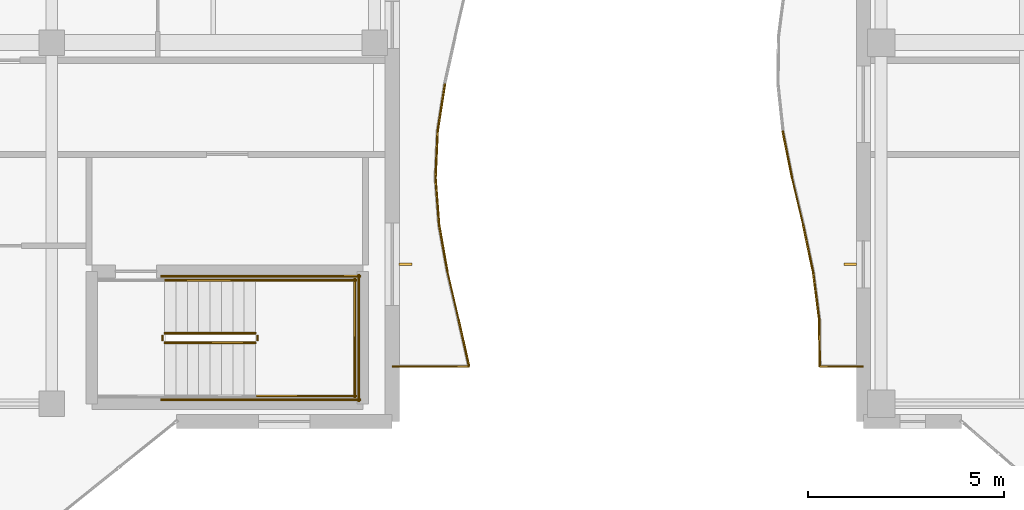
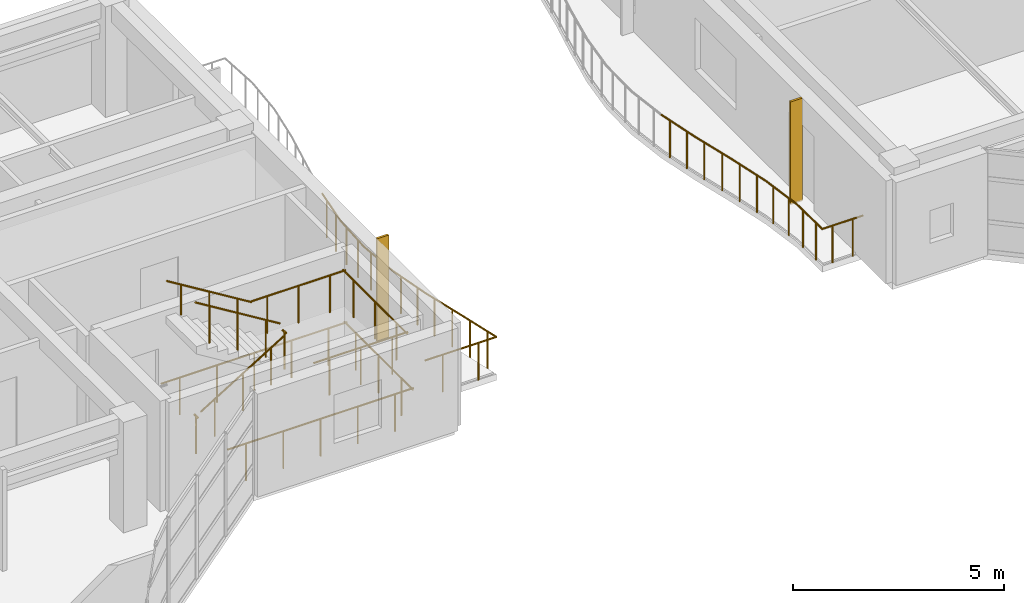
# One storey, part 78 of 89: 24 railings, 2 shading devices.
"""IFC4 building model written with IfcOpenShell, lengths in metres."""

from ifc_helpers import new_model, si_unit, direction, frame, origin, origin_2d, place, context, subcontext, project, spatial, rectangle, circle, extrude, material, layer, layer_set, type_object, element, save


model = new_model("IFC4")

# Units and contexts
model_context = context("Model", 3, precision=1e-05, world=origin(), true_north=direction((0.0, 1.0)))
body_context = subcontext(model_context, "Body", "Model", "MODEL_VIEW")
ifc_project = project(units=[si_unit("LENGTHUNIT", "METRE"), si_unit("AREAUNIT", "SQUARE_METRE"), si_unit("VOLUMEUNIT", "CUBIC_METRE"), si_unit("PLANEANGLEUNIT", "RADIAN"), si_unit("MASSUNIT", "GRAM", prefix="KILO")], contexts=[model_context])

# Site, building, storey
site_placement = place(None, origin())
site = spatial("IfcSite", under=ifc_project, at=site_placement, CompositionType="ELEMENT")
building_placement = place(site_placement, origin())
building = spatial("IfcBuilding", under=site, at=building_placement, Name="Keldmere Railside Commons", CompositionType="ELEMENT")
storey_placement = place(building_placement, frame((0.0, 0.0, 7.360107421875)))
storey = spatial("IfcBuildingStorey", under=building, at=storey_placement, Name="L02", CompositionType="ELEMENT", Elevation=7.360107421875)

# Railings
ifc_material = material(Name="Steel F-24 (S235)", Category="steel")
railing_type_1 = type_object("IfcRailingType", Name="Balcony & Terrace Steel Balustrade 1100", PredefinedType="BALUSTRADE", material=ifc_material)
railing_1_placement = place(storey_placement, frame((81.5, 101.39990234375, 0.0)))
element("IfcRailing", 1, at=railing_1_placement, inside=storey, type_object=railing_type_1, Name="GR-1 GRD-L02-1009", PredefinedType="BALUSTRADE", context=body_context, shape_type="SweptSolid", body=[
    extrude(circle(Radius=0.02392578125, at=origin_2d()), frame((0.0, 0.0, 1.076171875), z_axis=(1.0, 0.0, 0.0), x_axis=(0.0, 1.0, 0.0)), (0.0, 0.0, 1.0), 1.956787109375),
    extrude(circle(Radius=0.02099609375, at=origin_2d()), frame((0.4892578125, 0.0, 0.0)), (0.0, 0.0, 1.0), 1.048095703125),
    extrude(circle(Radius=0.02099609375, at=origin_2d()), frame((1.467529296875, 0.0, 0.0)), (0.0, 0.0, 1.0), 1.048095703125),
])
railing_2_placement = place(storey_placement, frame((83.456787109375, 101.39990234375, 0.0)))
element("IfcRailing", 2, at=railing_2_placement, inside=storey, type_object=railing_type_1, Name="GR-1 GRD-L02-1010", PredefinedType="BALUSTRADE", context=body_context, shape_type="SweptSolid", body=[
    extrude(circle(Radius=0.02392578125, at=origin_2d()), frame((0.0, 0.0, 1.076171875), z_axis=(-0.21892650739, 0.975741351159, 0.0), x_axis=(-0.975741351159, -0.21892650739, 0.0)), (0.0, 0.0, 1.0), 1.22998046875),
    extrude(circle(Radius=0.02099609375, at=origin_2d()), frame((-0.0673828125, 0.300048828125, 0.0)), (0.0, 0.0, 1.0), 1.048095703125),
    extrude(circle(Radius=0.02099609375, at=origin_2d()), frame((-0.201904296875, 0.900146484375, 0.0)), (0.0, 0.0, 1.0), 1.048095703125),
])
railing_3_placement = place(storey_placement, frame((83.1875, 102.60009765625, 0.0)))
element("IfcRailing", 3, at=railing_3_placement, inside=storey, type_object=railing_type_1, Name="GR-1 GRD-L02-1011", PredefinedType="BALUSTRADE", context=body_context, shape_type="SweptSolid", body=[
    extrude(circle(Radius=0.02392578125, at=origin_2d()), frame((0.0, 0.0, 1.076171875), z_axis=(-0.226885078419, 0.973921537492, 0.0), x_axis=(-0.973921537492, -0.226885078419, 0.0)), (0.0, 0.0, 1.0), 1.232177734375),
    extrude(circle(Radius=0.02099609375, at=origin_2d()), frame((-0.06982421875, 0.300048828125, 0.0)), (0.0, 0.0, 1.0), 1.048095703125),
    extrude(circle(Radius=0.02099609375, at=origin_2d()), frame((-0.209716796875, 0.89990234375, 0.0)), (0.0, 0.0, 1.0), 1.048095703125),
])
railing_4_placement = place(storey_placement, frame((82.907958984375, 103.800048828125, 0.0)))
element("IfcRailing", 4, at=railing_4_placement, inside=storey, type_object=railing_type_1, Name="GR-1 GRD-L02-1012", PredefinedType="BALUSTRADE", context=body_context, shape_type="SweptSolid", body=[
    extrude(circle(Radius=0.02392578125, at=origin_2d()), frame((0.0, 0.0, 1.076171875), z_axis=(-0.175853027034, 0.984416432656, 0.0), x_axis=(-0.984416432656, -0.175853027034, 0.0)), (0.0, 0.0, 1.0), 1.218994140625),
    extrude(circle(Radius=0.02099609375, at=origin_2d()), frame((-0.0537109375, 0.300048828125, 0.0)), (0.0, 0.0, 1.0), 1.048095703125),
    extrude(circle(Radius=0.02099609375, at=origin_2d()), frame((-0.16064453125, 0.89990234375, 0.0)), (0.0, 0.0, 1.0), 1.048095703125),
])
railing_5_placement = place(storey_placement, frame((82.693603515625, 105.0, 0.0)))
element("IfcRailing", 5, at=railing_5_placement, inside=storey, type_object=railing_type_1, Name="GR-1 GRD-L02-1013", PredefinedType="BALUSTRADE", context=body_context, shape_type="SweptSolid", body=[
    extrude(circle(Radius=0.02392578125, at=origin_2d()), frame((0.0, 0.0, 1.076171875), z_axis=(-0.076680986071, 0.997055678674, 0.0), x_axis=(-0.997055678674, -0.076680986071, 0.0)), (0.0, 0.0, 1.0), 1.20361328125),
    extrude(circle(Radius=0.02099609375, at=origin_2d()), frame((-0.02294921875, 0.300048828125, 0.0)), (0.0, 0.0, 1.0), 1.048095703125),
    extrude(circle(Radius=0.02099609375, at=origin_2d()), frame((-0.0693359375, 0.89990234375, 0.0)), (0.0, 0.0, 1.0), 1.048095703125),
])
railing_6_placement = place(storey_placement, frame((82.601318359375, 106.199951171875, 0.0)))
element("IfcRailing", 6, at=railing_6_placement, inside=storey, type_object=railing_type_1, Name="GR-1 GRD-L02-1014", PredefinedType="BALUSTRADE", context=body_context, shape_type="SweptSolid", body=[
    extrude(circle(Radius=0.02392578125, at=origin_2d()), frame((0.0, 0.0, 1.076171875), z_axis=(0.045527513951, 0.99896308514, 0.0), x_axis=(-0.99896308514, 0.045527513951, 0.0)), (0.0, 0.0, 1.0), 1.201171875),
    extrude(circle(Radius=0.02099609375, at=origin_2d()), frame((0.013671875, 0.300048828125, 0.0)), (0.0, 0.0, 1.0), 1.048095703125),
    extrude(circle(Radius=0.02099609375, at=origin_2d()), frame((0.041015625, 0.89990234375, 0.0)), (0.0, 0.0, 1.0), 1.048095703125),
])
railing_7_placement = place(storey_placement, frame((82.656005859375, 107.39990234375, 0.0)))
element("IfcRailing", 7, at=railing_7_placement, inside=storey, type_object=railing_type_1, Name="GR-1 GRD-L02-1015", PredefinedType="BALUSTRADE", context=body_context, shape_type="SweptSolid", body=[
    extrude(circle(Radius=0.02392578125, at=origin_2d()), frame((0.0, 0.0, 1.076171875), z_axis=(0.154156156009, 0.988046496661, 0.0), x_axis=(-0.988046496661, 0.154156156009, 0.0)), (0.0, 0.0, 1.0), 1.214599609375),
    extrude(circle(Radius=0.02099609375, at=origin_2d()), frame((0.046875, 0.300048828125, 0.0)), (0.0, 0.0, 1.0), 1.048095703125),
    extrude(circle(Radius=0.02099609375, at=origin_2d()), frame((0.140380859375, 0.900146484375, 0.0)), (0.0, 0.0, 1.0), 1.048095703125),
])
railing_8_placement = place(storey_placement, frame((93.5, 101.39990234375, 0.0)))
element("IfcRailing", 8, at=railing_8_placement, inside=storey, type_object=railing_type_1, Name="GR-1 GRD-L02-2080", PredefinedType="BALUSTRADE", context=body_context, shape_type="SweptSolid", body=[
    extrude(circle(Radius=0.02392578125, at=origin_2d()), frame((0.0, 0.0, 1.076171875), z_axis=(-1.0, 0.0, 0.0), x_axis=(0.0, -1.0, 0.0)), (0.0, 0.0, 1.0), 1.1123046875),
    extrude(circle(Radius=0.02099609375, at=origin_2d()), frame((-0.278076171875, 0.0, 0.0)), (0.0, 0.0, 1.0), 1.048095703125),
    extrude(circle(Radius=0.02099609375, at=origin_2d()), frame((-0.834228515625, 0.0, 0.0)), (0.0, 0.0, 1.0), 1.048095703125),
])
railing_9_placement = place(storey_placement, frame((92.3876953125, 101.39990234375, 0.0)))
element("IfcRailing", 9, at=railing_9_placement, inside=storey, type_object=railing_type_1, Name="GR-1 GRD-L02-2081", PredefinedType="BALUSTRADE", context=body_context, shape_type="SweptSolid", body=[
    extrude(circle(Radius=0.02392578125, at=origin_2d()), frame((0.0, 0.0, 1.076171875), z_axis=(-0.01179738887, 0.999930408386, 0.0), x_axis=(-0.999930408386, -0.01179738887, 0.0)), (0.0, 0.0, 1.0), 1.2001953125),
    extrude(circle(Radius=0.02099609375, at=origin_2d()), frame((-0.00341796875, 0.300048828125, 0.0)), (0.0, 0.0, 1.0), 1.048095703125),
    extrude(circle(Radius=0.02099609375, at=origin_2d()), frame((-0.0107421875, 0.900146484375, 0.0)), (0.0, 0.0, 1.0), 1.048095703125),
])
railing_10_placement = place(storey_placement, frame((92.37353515625, 102.60009765625, 0.0)))
element("IfcRailing", 10, at=railing_10_placement, inside=storey, type_object=railing_type_1, Name="GR-1 GRD-L02-2082", PredefinedType="BALUSTRADE", context=body_context, shape_type="SweptSolid", body=[
    extrude(circle(Radius=0.02392578125, at=origin_2d()), frame((0.0, 0.0, 1.076171875), z_axis=(-0.127535922224, 0.991833952102, 0.0), x_axis=(-0.991833952102, -0.127535922224, 0.0)), (0.0, 0.0, 1.0), 1.209716796875),
    extrude(circle(Radius=0.02099609375, at=origin_2d()), frame((-0.03857421875, 0.300048828125, 0.0)), (0.0, 0.0, 1.0), 1.048095703125),
    extrude(circle(Radius=0.02099609375, at=origin_2d()), frame((-0.11572265625, 0.89990234375, 0.0)), (0.0, 0.0, 1.0), 1.048095703125),
])
railing_11_placement = place(storey_placement, frame((92.21923828125, 103.800048828125, 0.0)))
element("IfcRailing", 11, at=railing_11_placement, inside=storey, type_object=railing_type_1, Name="GR-1 GRD-L02-2083", PredefinedType="BALUSTRADE", context=body_context, shape_type="SweptSolid", body=[
    extrude(circle(Radius=0.02392578125, at=origin_2d()), frame((0.0, 0.0, 1.076171875), z_axis=(-0.206632460554, 0.978418635475, 0.0), x_axis=(-0.978418635475, -0.206632460554, 0.0)), (0.0, 0.0, 1.0), 1.226318359375),
    extrude(circle(Radius=0.02099609375, at=origin_2d()), frame((-0.0634765625, 0.300048828125, 0.0)), (0.0, 0.0, 1.0), 1.048095703125),
    extrude(circle(Radius=0.02099609375, at=origin_2d()), frame((-0.18994140625, 0.89990234375, 0.0)), (0.0, 0.0, 1.0), 1.048095703125),
])
railing_12_placement = place(storey_placement, frame((91.9658203125, 105.0, 0.0)))
element("IfcRailing", 12, at=railing_12_placement, inside=storey, type_object=railing_type_1, Name="GR-1 GRD-L02-2084", PredefinedType="BALUSTRADE", context=body_context, shape_type="SweptSolid", body=[
    extrude(circle(Radius=0.02392578125, at=origin_2d()), frame((0.0, 0.0, 1.076171875), z_axis=(-0.230451583852, 0.973083792641, 0.0), x_axis=(-0.973083792641, -0.230451583852, 0.0)), (0.0, 0.0, 1.0), 1.233154296875),
    extrude(circle(Radius=0.02099609375, at=origin_2d()), frame((-0.071044921875, 0.300048828125, 0.0)), (0.0, 0.0, 1.0), 1.048095703125),
    extrude(circle(Radius=0.02099609375, at=origin_2d()), frame((-0.213134765625, 0.89990234375, 0.0)), (0.0, 0.0, 1.0), 1.048095703125),
])
railing_13_placement = place(storey_placement, frame((91.681640625, 106.199951171875, 0.0)))
element("IfcRailing", 13, at=railing_13_placement, inside=storey, type_object=railing_type_1, Name="GR-1 GRD-L02-2085", PredefinedType="BALUSTRADE", context=body_context, shape_type="SweptSolid", body=[
    extrude(circle(Radius=0.02392578125, at=origin_2d()), frame((0.0, 0.0, 1.076171875), z_axis=(-0.195540530718, 0.980695620897, 0.0), x_axis=(-0.980695620897, -0.195540530718, 0.0)), (0.0, 0.0, 1.0), 1.2236328125),
    extrude(circle(Radius=0.02099609375, at=origin_2d()), frame((-0.059814453125, 0.300048828125, 0.0)), (0.0, 0.0, 1.0), 1.048095703125),
    extrude(circle(Radius=0.02099609375, at=origin_2d()), frame((-0.179443359375, 0.89990234375, 0.0)), (0.0, 0.0, 1.0), 1.048095703125),
])

# Shading devices
ifc_layer = layer(ifc_material, 0.06005859375, Name="East-West Vertical Brise-Soleil Fin 320x60")
ifc_layer_set = layer_set([ifc_layer], Name="Steel F-24 (S235)")
shading_device_type = type_object("IfcShadingDeviceType", Name="East-West Vertical Brise-Soleil Fin 320x60", PredefinedType="USERDEFINED", material=ifc_layer_set)
for number, where, z_axis, x_axis, name in (
    (14, (81.837890625, 104.0, 0.0), (0.0, 0.0, 1.0), (1.0, 0.0, 0.0), "FIN-1 Solar Fin 008"),
    (15, (93.162109375, 104.0, 0.0), (0.0, 0.0, 1.0), (1.0, 0.0, 0.0), "FIN-1 Solar Fin 021"),
):
    element("IfcShadingDevice", number, at=place(storey_placement, frame(where, z_axis=z_axis, x_axis=x_axis)), inside=storey, type_object=shading_device_type, Name=name, ObjectType="FIN", PredefinedType="USERDEFINED", context=body_context, shape_type="SweptSolid", body=[
        extrude(rectangle(XDim=0.320068359375, YDim=0.06005859375, at=origin_2d()), origin(), (0.0, 0.0, 1.0), 2.97998046875),
    ])

# Railings
railing_type_2 = type_object("IfcRailingType", Name="Stair Well Steel Guardrail 1100", PredefinedType="BALUSTRADE", material=ifc_material)
railing_14_placement = place(storey_placement, frame((75.699951171875, 102.0, 0.177734375)))
element("IfcRailing", 16, at=railing_14_placement, inside=storey, type_object=railing_type_2, Name="L02 ST-C2 stair guard 1", PredefinedType="BALUSTRADE", context=body_context, shape_type="SweptSolid", body=[
    extrude(circle(Radius=0.02392578125, at=origin_2d()), frame((0.0, 0.0, 1.076171875), z_axis=(0.852578041948, 0.0, 0.522599925744), x_axis=(0.0, 1.0, 0.0)), (0.0, 0.0, 1.0), 2.72119140625),
    extrude(circle(Radius=0.02099609375, at=origin_2d()), frame((0.38671875, 0.0, 0.237060546875)), (0.0, 0.0, 1.0), 1.048095703125),
    extrude(circle(Radius=0.02099609375, at=origin_2d()), frame((1.16015625, 0.0, 0.7109375)), (0.0, 0.0, 1.0), 1.048095703125),
    extrude(circle(Radius=0.02099609375, at=origin_2d()), frame((1.933349609375, 0.0, 1.18505859375)), (0.0, 0.0, 1.0), 1.048095703125),
])
railing_15_placement = place(storey_placement, frame((78.070068359375, 102.050048828125, 1.599853515625)))
element("IfcRailing", 17, at=railing_15_placement, inside=storey, type_object=railing_type_2, Name="L02 ST-C2 stair guard 2", PredefinedType="BALUSTRADE", context=body_context, shape_type="SweptSolid", body=[
    extrude(circle(Radius=0.02392578125, at=origin_2d()), frame((0.0, 0.0, 1.076171875), z_axis=(0.0, 1.0, 0.0), x_axis=(-1.0, 0.0, 0.0)), (0.0, 0.0, 1.0), 0.14990234375),
    extrude(circle(Radius=0.02099609375, at=origin_2d()), frame((0.0, 0.074951171875, 0.0)), (0.0, 0.0, 1.0), 1.048095703125),
])
for number, where, name in (
    (18, (78.02001953125, 100.64990234375, 1.599853515625), "L02 ST-C2 stair guard 3"),
    (19, (78.02001953125, 103.60009765625, 1.599853515625), "L02 ST-C2 stair guard 4"),
):
    element("IfcRailing", number, at=place(storey_placement, frame(where)), inside=storey, type_object=railing_type_2, Name=name, PredefinedType="BALUSTRADE", context=body_context, shape_type="SweptSolid", body=[
        extrude(circle(Radius=0.02392578125, at=origin_2d()), frame((0.0, 0.0, 1.076171875), z_axis=(1.0, 0.0, 0.0), x_axis=(0.0, 1.0, 0.0)), (0.0, 0.0, 1.0), 2.580078125),
        extrude(circle(Radius=0.02099609375, at=origin_2d()), frame((0.429931640625, 0.0, 0.0)), (0.0, 0.0, 1.0), 1.048095703125),
        extrude(circle(Radius=0.02099609375, at=origin_2d()), frame((1.2900390625, 0.0, 0.0)), (0.0, 0.0, 1.0), 1.048095703125),
        extrude(circle(Radius=0.02099609375, at=origin_2d()), frame((2.150146484375, 0.0, 0.0)), (0.0, 0.0, 1.0), 1.048095703125),
    ])
railing_16_placement = place(storey_placement, frame((80.550048828125, 100.60009765625, 1.599853515625)))
element("IfcRailing", 20, at=railing_16_placement, inside=storey, type_object=railing_type_2, Name="L02 ST-C2 stair guard 5", PredefinedType="BALUSTRADE", context=body_context, shape_type="SweptSolid", body=[
    extrude(circle(Radius=0.02392578125, at=origin_2d()), frame((0.0, 0.0, 1.076171875), z_axis=(0.0, 1.0, 0.0), x_axis=(-1.0, 0.0, 0.0)), (0.0, 0.0, 1.0), 3.0498046875),
    extrude(circle(Radius=0.02099609375, at=origin_2d()), frame((0.0, 0.50830078125, 0.0)), (0.0, 0.0, 1.0), 1.048095703125),
    extrude(circle(Radius=0.02099609375, at=origin_2d()), frame((0.0, 1.52490234375, 0.0)), (0.0, 0.0, 1.0), 1.048095703125),
    extrude(circle(Radius=0.02099609375, at=origin_2d()), frame((0.0, 2.54150390625, 0.0)), (0.0, 0.0, 1.0), 1.048095703125),
])
railing_17_placement = place(storey_placement, frame((78.02001953125, 102.25, 1.777587890625)))
element("IfcRailing", 21, at=railing_17_placement, inside=storey, type_object=railing_type_2, Name="L02 ST-C2 stair guard 6", PredefinedType="BALUSTRADE", context=body_context, shape_type="SweptSolid", body=[
    extrude(circle(Radius=0.02392578125, at=origin_2d()), frame((0.0, 0.0, 1.076171875), z_axis=(-0.852538067394, 0.0, 0.522665135287), x_axis=(0.0, -1.0, 0.0)), (0.0, 0.0, 1.0), 2.721435546875),
    extrude(circle(Radius=0.02099609375, at=origin_2d()), frame((-0.38671875, 0.0, 0.237060546875)), (0.0, 0.0, 1.0), 1.048095703125),
    extrude(circle(Radius=0.02099609375, at=origin_2d()), frame((-1.16015625, 0.0, 0.711181640625)), (0.0, 0.0, 1.0), 1.048095703125),
    extrude(circle(Radius=0.02099609375, at=origin_2d()), frame((-1.933349609375, 0.0, 1.185302734375)), (0.0, 0.0, 1.0), 1.048095703125),
])
railing_18_placement = place(storey_placement, frame((75.64990234375, 102.050048828125, 0.0)))
element("IfcRailing", 22, at=railing_18_placement, inside=storey, type_object=railing_type_2, Name="L02 ST-C2 stair guard 7", PredefinedType="BALUSTRADE", context=body_context, shape_type="SweptSolid", body=[
    extrude(circle(Radius=0.02392578125, at=origin_2d()), frame((0.0, 0.0, 1.076171875), z_axis=(0.0, 1.0, 0.0), x_axis=(-1.0, 0.0, 0.0)), (0.0, 0.0, 1.0), 0.14990234375),
    extrude(circle(Radius=0.02099609375, at=origin_2d()), frame((0.0, 0.074951171875, 0.0)), (0.0, 0.0, 1.0), 1.048095703125),
])
for number, where, name in (
    (23, (75.60009765625, 100.550048828125, 0.0), "L02 ST-C2 stair guard 10"),
    (24, (75.60009765625, 103.699951171875, 0.0), "L02 ST-C2 stair guard 11"),
):
    element("IfcRailing", number, at=place(storey_placement, frame(where)), inside=storey, type_object=railing_type_2, Name=name, PredefinedType="BALUSTRADE", context=body_context, shape_type="SweptSolid", body=[
        extrude(circle(Radius=0.02392578125, at=origin_2d()), frame((0.0, 0.0, 1.076171875), z_axis=(1.0, 0.0, 0.0), x_axis=(0.0, 1.0, 0.0)), (0.0, 0.0, 1.0), 5.099853515625),
        extrude(circle(Radius=0.02099609375, at=origin_2d()), frame((0.510009765625, 0.0, 0.0)), (0.0, 0.0, 1.0), 1.048095703125),
        extrude(circle(Radius=0.02099609375, at=origin_2d()), frame((1.530029296875, 0.0, 0.0)), (0.0, 0.0, 1.0), 1.048095703125),
        extrude(circle(Radius=0.02099609375, at=origin_2d()), frame((2.5498046875, 0.0, 0.0)), (0.0, 0.0, 1.0), 1.048095703125),
        extrude(circle(Radius=0.02099609375, at=origin_2d()), frame((3.56982421875, 0.0, 0.0)), (0.0, 0.0, 1.0), 1.048095703125),
        extrude(circle(Radius=0.02099609375, at=origin_2d()), frame((4.58984375, 0.0, 0.0)), (0.0, 0.0, 1.0), 1.048095703125),
    ])
railing_19_placement = place(storey_placement, frame((80.64990234375, 100.5, 0.0)))
element("IfcRailing", 25, at=railing_19_placement, inside=storey, type_object=railing_type_2, Name="L02 ST-C2 stair guard 12", PredefinedType="BALUSTRADE", context=body_context, shape_type="SweptSolid", body=[
    extrude(circle(Radius=0.02392578125, at=origin_2d()), frame((0.0, 0.0, 1.076171875), z_axis=(0.0, 1.0, 0.0), x_axis=(-1.0, 0.0, 0.0)), (0.0, 0.0, 1.0), 3.25),
    extrude(circle(Radius=0.02099609375, at=origin_2d()), frame((0.0, 0.541748046875, 0.0)), (0.0, 0.0, 1.0), 1.048095703125),
    extrude(circle(Radius=0.02099609375, at=origin_2d()), frame((0.0, 1.625, 0.0)), (0.0, 0.0, 1.0), 1.048095703125),
    extrude(circle(Radius=0.02099609375, at=origin_2d()), frame((0.0, 2.708251953125, 0.0)), (0.0, 0.0, 1.0), 1.048095703125),
])
railing_type_3 = type_object("IfcRailingType", Name="Wall-Mounted Tubular Steel Handrail 900", PredefinedType="HANDRAIL", material=ifc_material)
railing_20_placement = place(storey_placement, frame((78.02001953125, 103.60009765625, 1.777587890625)))
element("IfcRailing", 26, at=railing_20_placement, inside=storey, type_object=railing_type_3, Name="L02 ST-C2 stair handrail 2", PredefinedType="HANDRAIL", context=body_context, shape_type="SweptSolid", body=[
    extrude(circle(Radius=0.02392578125, at=origin_2d()), frame((0.0, 0.0, 0.8759765625), z_axis=(-0.852538067394, 0.0, 0.522665135287), x_axis=(0.0, -1.0, 0.0)), (0.0, 0.0, 1.0), 2.721435546875),
    extrude(circle(Radius=0.02099609375, at=origin_2d()), frame((-0.38671875, 0.0, 0.237060546875)), (0.0, 0.0, 1.0), 0.847900390625),
    extrude(circle(Radius=0.02099609375, at=origin_2d()), frame((-1.16015625, 0.0, 0.711181640625)), (0.0, 0.0, 1.0), 0.847900390625),
    extrude(circle(Radius=0.02099609375, at=origin_2d()), frame((-1.933349609375, 0.0, 1.185302734375)), (0.0, 0.0, 1.0), 0.847900390625),
])

save(model, "model.ifc")
